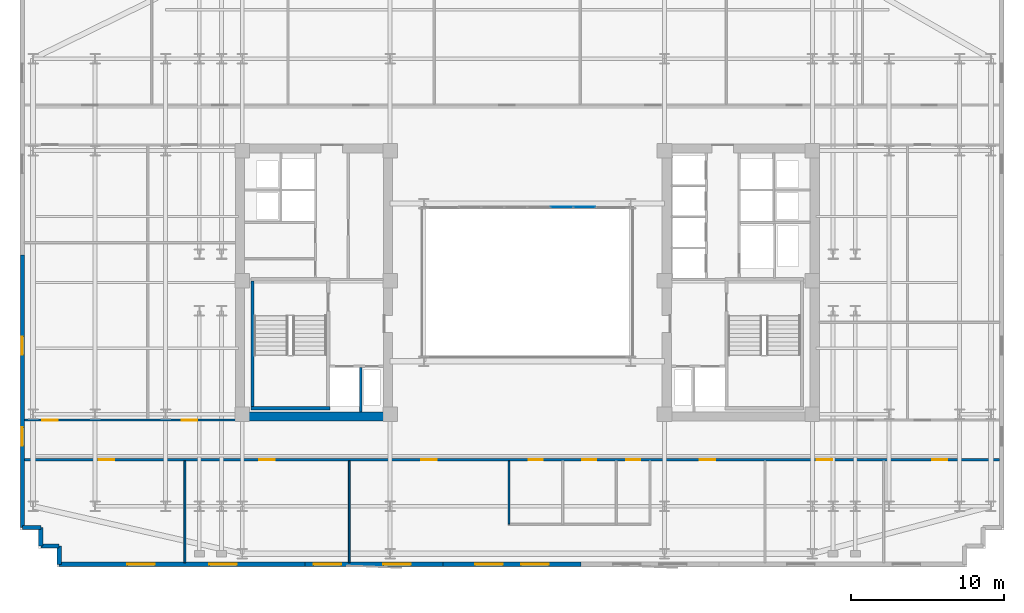
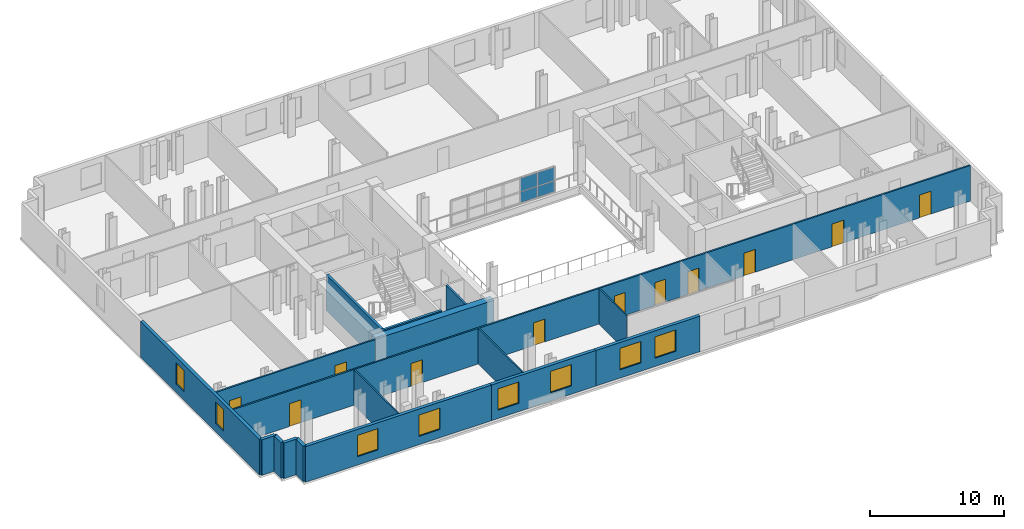
# One storey, part 6 of 12: 17 walls, 11 doors, 8 windows, 4 plates, 19 openings, 1 element without a shape of its own.
"""IFC4 building model written with IfcOpenShell, lengths in metres."""

from ifc_helpers import new_model, si_unit, direction, frame, frame_2d, origin, origin_2d, place, context, subcontext, project, spatial, rectangle, extrude, material, layer, layer_set, type_object, element, fill, aggregate, save


model = new_model("IFC4")

# Units and contexts
model_context = context("Model", 3, precision=1e-05, world=origin(), true_north=direction((0.0, 1.0)))
body_context = subcontext(model_context, "Body", "Model", "MODEL_VIEW")
ifc_project = project(units=[si_unit("LENGTHUNIT", "METRE"), si_unit("AREAUNIT", "SQUARE_METRE"), si_unit("VOLUMEUNIT", "CUBIC_METRE"), si_unit("PLANEANGLEUNIT", "RADIAN"), si_unit("MASSUNIT", "GRAM", prefix="KILO")], contexts=[model_context])

# Site, building, storey
site_placement = place(None, origin())
site = spatial("IfcSite", under=ifc_project, at=site_placement, CompositionType="ELEMENT")
building_placement = place(site_placement, origin())
building = spatial("IfcBuilding", under=site, at=building_placement, Name="Velakula Bourse", CompositionType="ELEMENT")
storey_placement = place(building_placement, frame((0.0, 0.0, 148.449951171875)))
storey = spatial("IfcBuildingStorey", under=building, at=storey_placement, Name="L40", CompositionType="ELEMENT", Elevation=148.449951171875)

# Curtain wall, plates
ifc_material_1 = material(Name="Anodised bronze architectural aluminium", Category="aluminium")
ifc_layer_1 = layer(ifc_material_1, 0.14990234375, Name="Anodised bronze architectural aluminium", Category="aluminium")
ifc_layer_set_1 = layer_set([ifc_layer_1], Name="Anodised bronze architectural aluminium")
curtain_wall_type = type_object("IfcCurtainWallType", Name="CW-AT1", PredefinedType="NOTDEFINED", material=ifc_layer_set_1)
curtain_wall_placement = place(storey_placement, origin())
curtain_wall = element("IfcCurtainWall", 1, at=curtain_wall_placement, inside=storey, type_object=curtain_wall_type, Name="L40 Central Trading Atrium Fire-Rated Glazed Screen", PredefinedType="NOTDEFINED")
ifc_material_2 = material(Name="Fire-resistant EI 120 laminated glazing", Category="glass")
ifc_layer_2 = layer(ifc_material_2, 0.02392578125, Name="Fire-resistant EI 120 laminated glazing", Category="glass")
ifc_layer_set_2 = layer_set([ifc_layer_2], Name="Fire-resistant EI 120 laminated glazing")
plate_type = type_object("IfcPlateType", Name="PNL-CW-AT1", PredefinedType="CURTAIN_PANEL", material=ifc_layer_set_2)
plate_1_placement = place(storey_placement, frame((2.25, 4.919921875, 0.06005859375), z_axis=(0.0, 0.0, 1.0), x_axis=(1.0, 0.0, 0.0)))
plate_1 = element("IfcPlate", 2, at=plate_1_placement, type_object=plate_type, Name="CW-AT1 panel 5.1", PredefinedType="CURTAIN_PANEL", context=body_context, shape_type="SweptSolid", body=[
    extrude(rectangle(XDim=1.43994140625, YDim=0.028076171875, at=origin_2d()), origin(), (0.0, 0.0, 1.0), 0.965087890625),
])
plate_2_placement = place(storey_placement, frame((2.25, 4.919921875, 1.085205078125), z_axis=(0.0, 0.0, 1.0), x_axis=(1.0, 0.0, 0.0)))
plate_2 = element("IfcPlate", 3, at=plate_2_placement, type_object=plate_type, Name="CW-AT1 panel 5.2", PredefinedType="CURTAIN_PANEL", context=body_context, shape_type="SweptSolid", body=[
    extrude(rectangle(XDim=1.43994140625, YDim=0.028076171875, at=origin_2d()), origin(), (0.0, 0.0, 1.0), 1.19970703125),
])
plate_3_placement = place(storey_placement, frame((3.735107421875, 4.919921875, 0.06005859375), z_axis=(0.0, 0.0, 1.0), x_axis=(1.0, 0.0, 0.0)))
plate_3 = element("IfcPlate", 4, at=plate_3_placement, type_object=plate_type, Name="CW-AT1 panel 6.1", PredefinedType="CURTAIN_PANEL", context=body_context, shape_type="SweptSolid", body=[
    extrude(rectangle(XDim=1.409912109375, YDim=0.028076171875, at=origin_2d()), origin(), (0.0, 0.0, 1.0), 0.965087890625),
])
plate_4_placement = place(storey_placement, frame((3.735107421875, 4.919921875, 1.085205078125), z_axis=(0.0, 0.0, 1.0), x_axis=(1.0, 0.0, 0.0)))
plate_4 = element("IfcPlate", 5, at=plate_4_placement, type_object=plate_type, Name="CW-AT1 panel 6.2", PredefinedType="CURTAIN_PANEL", context=body_context, shape_type="SweptSolid", body=[
    extrude(rectangle(XDim=1.409912109375, YDim=0.028076171875, at=origin_2d()), origin(), (0.0, 0.0, 1.0), 1.19970703125),
])
aggregate(curtain_wall, [plate_1, plate_2, plate_3, plate_4])

# Walls
ifc_material_3 = material(Name="Concrete M50 (fck 50 MPa)", Category="concrete")
ifc_layer_3 = layer(ifc_material_3, 0.2099609375, Name="Concrete M50 (fck 50 MPa)", Category="concrete")
ifc_layer_set_3 = layer_set([ifc_layer_3], Name="Concrete M50 (fck 50 MPa)")
wall_type_1 = type_object("IfcWallType", Name="WL-CORE-210", PredefinedType="SHEAR", material=ifc_layer_set_3)
wall_1_placement = place(storey_placement, frame((-17.925048828125, -8.10009765625, 0.0), z_axis=(0.0, 0.0, 1.0), x_axis=(0.0, 1.0, 0.0)))
element("IfcWall", 6, at=wall_1_placement, inside=storey, type_object=wall_type_1, Name="L40 Core W Stairwell Shear Wall OUT", PredefinedType="SHEAR", context=body_context, shape_type="SweptSolid", body=[
    extrude(rectangle(XDim=8.2001953125, YDim=0.2099609375, at=frame_2d((4.10009765625, 0.0))), origin(), (0.0, 0.0, 1.0), 3.27001953125),
])
wall_2_placement = place(storey_placement, frame((-18.030029296875, -8.205078125, 0.0), z_axis=(0.0, 0.0, 1.0), x_axis=(1.0, 0.0, 0.0)))
element("IfcWall", 7, at=wall_2_placement, inside=storey, type_object=wall_type_1, Name="L40 Core W Stairwell Shear Wall S", PredefinedType="SHEAR", context=body_context, shape_type="SweptSolid", body=[
    extrude(rectangle(XDim=5.14013671875, YDim=0.2099609375, at=frame_2d((2.570068359375, 0.0))), origin(), (0.0, 0.0, 1.0), 3.27001953125),
])
ifc_material_4 = material(Name="Concrete M70 (fck 70 MPa)", Category="concrete")
ifc_layer_4 = layer(ifc_material_4, 0.60009765625, Name="Concrete M70 (fck 70 MPa)", Category="concrete")
ifc_layer_set_4 = layer_set([ifc_layer_4], Name="Concrete M70 (fck 70 MPa)")
wall_type_2 = type_object("IfcWallType", Name="WL-CORE-600", PredefinedType="SHEAR", material=ifc_layer_set_4)
wall_3_placement = place(storey_placement, frame((-19.050048828125, -8.75, 0.0), z_axis=(0.0, 0.0, 1.0), x_axis=(1.0, 0.0, 0.0)))
element("IfcWall", 8, at=wall_3_placement, inside=storey, type_object=wall_type_2, Name="L40 Core W Shear Wall S", PredefinedType="SHEAR", context=body_context, shape_type="SweptSolid", body=[
    extrude(rectangle(XDim=10.25, YDim=0.60009765625, at=frame_2d((5.125, 0.0))), origin(), (0.0, 0.0, 1.0), 3.27001953125),
])

# Wall, openings, windows
ifc_material_5 = material(Name="Red kilned clay facing brick masonry", Category="masonry")
ifc_layer_5 = layer(ifc_material_5, 0.280029296875, Name="Red kilned clay facing brick masonry", Category="masonry")
ifc_layer_set_5 = layer_set([ifc_layer_5], Name="Red kilned clay facing brick masonry")
wall_type_3 = type_object("IfcWallType", Name="WL-EXT-BRK-280", PredefinedType="STANDARD", material=ifc_layer_set_5)
wall_4_placement = place(storey_placement, frame((-14.5, -18.389892578125, 0.0), z_axis=(0.0, 0.0, 1.0), x_axis=(-1.0, 0.0, 0.0)))
wall_4 = element("IfcWall", 9, at=wall_4_placement, inside=storey, type_object=wall_type_3, Name="L40 S Brick Spandrel Wall B1", PredefinedType="STANDARD", context=body_context, shape_type="SweptSolid", body=[
    extrude(rectangle(XDim=16.0400390625, YDim=0.280029296875, at=frame_2d((8.02001953125, 0.0))), origin(), (0.0, 0.0, 1.0), 3.25),
])
opening_1_placement = place(wall_4_placement, frame((4.44677734375, 0.0, 0.760009765625)))
opening_1 = element("IfcOpeningElement", 10, at=opening_1_placement, cuts=wall_4, Name="Opening W-01", PredefinedType="OPENING", context=body_context, shape_type="SweptSolid", body=[
    extrude(rectangle(XDim=1.800048828125, YDim=1.949951171875, at=frame_2d((0.89990234375, 0.97509765625))), frame((0.0, 0.14990234375, 0.0), z_axis=(0.0, -1.0, 0.0), x_axis=(1.0, 0.0, 0.0)), (0.0, 0.0, 1.0), 0.300048828125),
])
opening_2_placement = place(wall_4_placement, frame((9.793212890625, 0.0, 0.760009765625)))
opening_2 = element("IfcOpeningElement", 11, at=opening_2_placement, cuts=wall_4, Name="Opening W-01", PredefinedType="OPENING", context=body_context, shape_type="SweptSolid", body=[
    extrude(rectangle(XDim=1.800048828125, YDim=1.949951171875, at=frame_2d((0.89990234375, 0.97509765625))), frame((0.0, 0.14990234375, 0.0), z_axis=(0.0, -1.0, 0.0), x_axis=(1.0, 0.0, 0.0)), (0.0, 0.0, 1.0), 0.300048828125),
])
ifc_material_6 = material(Name="Double-glazed solar-control Low-E glass", Category="glass")
window_type_1 = type_object("IfcWindowType", Name="WIN-TWR-1800x2100", PartitioningType="SINGLE_PANEL", PredefinedType="WINDOW", material=ifc_material_6)
window_1_placement = place(opening_1_placement, origin())
window_1 = element("IfcWindow", 12, at=window_1_placement, inside=storey, type_object=window_type_1, Name="L40 Deep-Set Recessed Window 1", OverallHeight=1.949951171875, OverallWidth=1.800048828125, PartitioningType="SINGLE_PANEL", PredefinedType="WINDOW", context=body_context, shape_type="SweptSolid", body=[
    extrude(rectangle(XDim=1.800048828125, YDim=1.949951171875, at=frame_2d((0.89990234375, 0.97509765625))), frame((0.0, 0.030029296875, 0.0), z_axis=(0.0, -1.0, 0.0), x_axis=(1.0, 0.0, 0.0)), (0.0, 0.0, 1.0), 0.06005859375),
])
fill(opening_1, window_1)
window_2_placement = place(opening_2_placement, origin())
window_2 = element("IfcWindow", 13, at=window_2_placement, inside=storey, type_object=window_type_1, Name="L40 Deep-Set Recessed Window 2", OverallHeight=1.949951171875, OverallWidth=1.800048828125, PartitioningType="SINGLE_PANEL", PredefinedType="WINDOW", context=body_context, shape_type="SweptSolid", body=[
    extrude(rectangle(XDim=1.800048828125, YDim=1.949951171875, at=frame_2d((0.89990234375, 0.97509765625))), frame((0.0, 0.030029296875, 0.0), z_axis=(0.0, -1.0, 0.0), x_axis=(1.0, 0.0, 0.0)), (0.0, 0.0, 1.0), 0.06005859375),
])
fill(opening_2, window_2)

wall_5_placement = place(storey_placement, frame((-5.5, -18.389892578125, 0.0), z_axis=(0.0, 0.0, 1.0), x_axis=(-1.0, 0.0, 0.0)))
wall_5 = element("IfcWall", 14, at=wall_5_placement, inside=storey, type_object=wall_type_3, Name="L40 S Brick Spandrel Wall B2", PredefinedType="STANDARD", context=body_context, shape_type="SweptSolid", body=[
    extrude(rectangle(XDim=9.0, YDim=0.280029296875, at=frame_2d((4.5, 0.0))), origin(), (0.0, 0.0, 1.0), 3.25),
])
opening_3_placement = place(wall_5_placement, frame((2.10009765625, 0.0, 0.760009765625)))
opening_3 = element("IfcOpeningElement", 15, at=opening_3_placement, cuts=wall_5, Name="Opening W-01", PredefinedType="OPENING", context=body_context, shape_type="SweptSolid", body=[
    extrude(rectangle(XDim=1.800048828125, YDim=1.949951171875, at=frame_2d((0.89990234375, 0.97509765625))), frame((0.0, 0.14990234375, 0.0), z_axis=(0.0, -1.0, 0.0), x_axis=(1.0, 0.0, 0.0)), (0.0, 0.0, 1.0), 0.300048828125),
])
opening_4_placement = place(wall_5_placement, frame((6.64990234375, 0.0, 0.760009765625)))
opening_4 = element("IfcOpeningElement", 16, at=opening_4_placement, cuts=wall_5, Name="Opening W-01", PredefinedType="OPENING", context=body_context, shape_type="SweptSolid", body=[
    extrude(rectangle(XDim=1.800048828125, YDim=1.949951171875, at=frame_2d((0.89990234375, 0.97509765625))), frame((0.0, 0.14990234375, 0.0), z_axis=(0.0, -1.0, 0.0), x_axis=(1.0, 0.0, 0.0)), (0.0, 0.0, 1.0), 0.300048828125),
])
window_3_placement = place(opening_3_placement, origin())
window_3 = element("IfcWindow", 17, at=window_3_placement, inside=storey, type_object=window_type_1, Name="L40 Deep-Set Recessed Window 1", OverallHeight=1.949951171875, OverallWidth=1.800048828125, PartitioningType="SINGLE_PANEL", PredefinedType="WINDOW", context=body_context, shape_type="SweptSolid", body=[
    extrude(rectangle(XDim=1.800048828125, YDim=1.949951171875, at=frame_2d((0.89990234375, 0.97509765625))), frame((0.0, 0.030029296875, 0.0), z_axis=(0.0, -1.0, 0.0), x_axis=(1.0, 0.0, 0.0)), (0.0, 0.0, 1.0), 0.06005859375),
])
fill(opening_3, window_3)
window_4_placement = place(opening_4_placement, origin())
window_4 = element("IfcWindow", 18, at=window_4_placement, inside=storey, type_object=window_type_1, Name="L40 Deep-Set Recessed Window 2", OverallHeight=1.949951171875, OverallWidth=1.800048828125, PartitioningType="SINGLE_PANEL", PredefinedType="WINDOW", context=body_context, shape_type="SweptSolid", body=[
    extrude(rectangle(XDim=1.800048828125, YDim=1.949951171875, at=frame_2d((0.89990234375, 0.97509765625))), frame((0.0, 0.030029296875, 0.0), z_axis=(0.0, -1.0, 0.0), x_axis=(1.0, 0.0, 0.0)), (0.0, 0.0, 1.0), 0.06005859375),
])
fill(opening_4, window_4)

wall_6_placement = place(storey_placement, frame((3.5, -18.389892578125, 0.0), z_axis=(0.0, 0.0, 1.0), x_axis=(-1.0, 0.0, 0.0)))
wall_6 = element("IfcWall", 19, at=wall_6_placement, inside=storey, type_object=wall_type_3, Name="L40 S Brick Spandrel Wall B3", PredefinedType="STANDARD", context=body_context, shape_type="SweptSolid", body=[
    extrude(rectangle(XDim=9.0, YDim=0.280029296875, at=frame_2d((4.5, 0.0))), origin(), (0.0, 0.0, 1.0), 3.25),
])
opening_5_placement = place(wall_6_placement, frame((2.10009765625, 0.0, 0.760009765625)))
opening_5 = element("IfcOpeningElement", 20, at=opening_5_placement, cuts=wall_6, Name="Opening W-01", PredefinedType="OPENING", context=body_context, shape_type="SweptSolid", body=[
    extrude(rectangle(XDim=1.800048828125, YDim=1.949951171875, at=frame_2d((0.89990234375, 0.97509765625))), frame((0.0, 0.14990234375, 0.0), z_axis=(0.0, -1.0, 0.0), x_axis=(1.0, 0.0, 0.0)), (0.0, 0.0, 1.0), 0.300048828125),
])
opening_6_placement = place(wall_6_placement, frame((5.10009765625, 0.0, 0.760009765625)))
opening_6 = element("IfcOpeningElement", 21, at=opening_6_placement, cuts=wall_6, Name="Opening W-01", PredefinedType="OPENING", context=body_context, shape_type="SweptSolid", body=[
    extrude(rectangle(XDim=1.800048828125, YDim=1.949951171875, at=frame_2d((0.89990234375, 0.97509765625))), frame((0.0, 0.14990234375, 0.0), z_axis=(0.0, -1.0, 0.0), x_axis=(1.0, 0.0, 0.0)), (0.0, 0.0, 1.0), 0.300048828125),
])
window_5_placement = place(opening_5_placement, origin())
window_5 = element("IfcWindow", 22, at=window_5_placement, inside=storey, type_object=window_type_1, Name="L40 Deep-Set Recessed Window 1", OverallHeight=1.949951171875, OverallWidth=1.800048828125, PartitioningType="SINGLE_PANEL", PredefinedType="WINDOW", context=body_context, shape_type="SweptSolid", body=[
    extrude(rectangle(XDim=1.800048828125, YDim=1.949951171875, at=frame_2d((0.89990234375, 0.97509765625))), frame((0.0, 0.030029296875, 0.0), z_axis=(0.0, -1.0, 0.0), x_axis=(1.0, 0.0, 0.0)), (0.0, 0.0, 1.0), 0.06005859375),
])
fill(opening_5, window_5)
window_6_placement = place(opening_6_placement, origin())
window_6 = element("IfcWindow", 23, at=window_6_placement, inside=storey, type_object=window_type_1, Name="L40 Deep-Set Recessed Window 2", OverallHeight=1.949951171875, OverallWidth=1.800048828125, PartitioningType="SINGLE_PANEL", PredefinedType="WINDOW", context=body_context, shape_type="SweptSolid", body=[
    extrude(rectangle(XDim=1.800048828125, YDim=1.949951171875, at=frame_2d((0.89990234375, 0.97509765625))), frame((0.0, 0.030029296875, 0.0), z_axis=(0.0, -1.0, 0.0), x_axis=(1.0, 0.0, 0.0)), (0.0, 0.0, 1.0), 0.06005859375),
])
fill(opening_6, window_6)

wall_7_placement = place(storey_placement, frame((-32.93994140625, -15.989990234375, 0.0), z_axis=(0.0, 0.0, 1.0), x_axis=(0.0, 1.0, 0.0)))
wall_7 = element("IfcWall", 24, at=wall_7_placement, inside=storey, type_object=wall_type_3, Name="L40 W Brick End Wall W1", PredefinedType="STANDARD", context=body_context, shape_type="SweptSolid", body=[
    extrude(rectangle(XDim=17.7900390625, YDim=0.280029296875, at=frame_2d((8.89501953125, 0.0))), origin(), (0.0, 0.0, 1.0), 3.25),
])
opening_7_placement = place(wall_7_placement, frame((5.330078125, 0.0, 0.760009765625)))
opening_7 = element("IfcOpeningElement", 25, at=opening_7_placement, cuts=wall_7, Name="Opening W-04", PredefinedType="OPENING", context=body_context, shape_type="SweptSolid", body=[
    extrude(rectangle(XDim=1.199951171875, YDim=1.949951171875, at=frame_2d((0.60009765625, 0.97509765625))), frame((0.0, 0.14990234375, 0.0), z_axis=(0.0, -1.0, 0.0), x_axis=(1.0, 0.0, 0.0)), (0.0, 0.0, 1.0), 0.300048828125),
])
opening_8_placement = place(wall_7_placement, frame((11.260009765625, 0.0, 0.760009765625)))
opening_8 = element("IfcOpeningElement", 26, at=opening_8_placement, cuts=wall_7, Name="Opening W-04", PredefinedType="OPENING", context=body_context, shape_type="SweptSolid", body=[
    extrude(rectangle(XDim=1.199951171875, YDim=1.949951171875, at=frame_2d((0.60009765625, 0.97509765625))), frame((0.0, 0.14990234375, 0.0), z_axis=(0.0, -1.0, 0.0), x_axis=(1.0, 0.0, 0.0)), (0.0, 0.0, 1.0), 0.300048828125),
])
window_type_2 = type_object("IfcWindowType", Name="WIN-TWR-1200x2100", PartitioningType="SINGLE_PANEL", PredefinedType="WINDOW", material=ifc_material_6)
window_7_placement = place(opening_7_placement, origin())
window_7 = element("IfcWindow", 27, at=window_7_placement, inside=storey, type_object=window_type_2, Name="L40 Deep-Set Recessed Window 1", OverallHeight=1.949951171875, OverallWidth=1.199951171875, PartitioningType="SINGLE_PANEL", PredefinedType="WINDOW", context=body_context, shape_type="SweptSolid", body=[
    extrude(rectangle(XDim=1.199951171875, YDim=1.949951171875, at=frame_2d((0.60009765625, 0.97509765625))), frame((0.0, 0.030029296875, 0.0), z_axis=(0.0, -1.0, 0.0), x_axis=(1.0, 0.0, 0.0)), (0.0, 0.0, 1.0), 0.06005859375),
])
fill(opening_7, window_7)
window_8_placement = place(opening_8_placement, origin())
window_8 = element("IfcWindow", 28, at=window_8_placement, inside=storey, type_object=window_type_2, Name="L40 Deep-Set Recessed Window 2", OverallHeight=1.949951171875, OverallWidth=1.199951171875, PartitioningType="SINGLE_PANEL", PredefinedType="WINDOW", context=body_context, shape_type="SweptSolid", body=[
    extrude(rectangle(XDim=1.199951171875, YDim=1.949951171875, at=frame_2d((0.60009765625, 0.97509765625))), frame((0.0, 0.030029296875, 0.0), z_axis=(0.0, -1.0, 0.0), x_axis=(1.0, 0.0, 0.0)), (0.0, 0.0, 1.0), 0.06005859375),
])
fill(opening_8, window_8)

# Walls
for number, where, z_axis, x_axis, name in (
    (29, (-32.93994140625, -15.989990234375, 0.0), (0.0, 0.0, 1.0), (1.0, 0.0, 0.0), "L40 Serrated Corner Brick Wall SW-1"),
    (30, (-31.739990234375, -15.989990234375, 0.0), (0.0, 0.0, 1.0), (0.0, -1.0, 0.0), "L40 Serrated Corner Brick Wall SW-2"),
    (31, (-31.739990234375, -17.18994140625, 0.0), (0.0, 0.0, 1.0), (1.0, 0.0, 0.0), "L40 Serrated Corner Brick Wall SW-3"),
    (32, (-30.5400390625, -17.18994140625, 0.0), (0.0, 0.0, 1.0), (0.0, -1.0, 0.0), "L40 Serrated Corner Brick Wall SW-4"),
):
    element("IfcWall", number, at=place(storey_placement, frame(where, z_axis=z_axis, x_axis=x_axis)), inside=storey, type_object=wall_type_3, Name=name, PredefinedType="STANDARD", context=body_context, shape_type="SweptSolid", body=[
        extrude(rectangle(XDim=1.199951171875, YDim=0.280029296875, at=frame_2d((0.60009765625, 0.0))), origin(), (0.0, 0.0, 1.0), 3.25),
    ])
ifc_material_7 = material(Name="Fire-rated double-layer gypsum drywall partition", Category="gypsum")
ifc_layer_6 = layer(ifc_material_7, 0.1201171875, Name="Fire-rated double-layer gypsum drywall partition", Category="gypsum")
ifc_layer_set_6 = layer_set([ifc_layer_6], Name="Fire-rated double-layer gypsum drywall partition")
wall_type_4 = type_object("IfcWallType", Name="WL-PART-120", PredefinedType="STANDARD", material=ifc_layer_set_6)
wall_8_placement = place(storey_placement, frame((-1.199951171875, -15.77001953125, 0.0), z_axis=(0.0, 0.0, 1.0), x_axis=(0.0, 1.0, 0.0)))
element("IfcWall", 33, at=wall_8_placement, inside=storey, type_object=wall_type_4, Name="L40 Interior Partition WL-WC-L40-V1", PredefinedType="STANDARD", context=body_context, shape_type="SweptSolid", body=[
    extrude(rectangle(XDim=4.130126953125, YDim=0.1201171875, at=frame_2d((2.06494140625, 0.0))), origin(), (0.0, 0.0, 1.0), 3.25),
])
for number, where, z_axis, x_axis, name in (
    (34, (-22.344970703125, -18.27001953125, 0.0), (0.0, 0.0, 1.0), (0.0, 1.0, 0.0), "L40 Interior Partition WL-INT-L40-SL-D5"),
    (35, (-11.614990234375, -18.27001953125, 0.0), (0.0, 0.0, 1.0), (0.0, 1.0, 0.0), "L40 Interior Partition WL-INT-L40-SL-D6"),
):
    element("IfcWall", number, at=place(storey_placement, frame(where, z_axis=z_axis, x_axis=x_axis)), inside=storey, type_object=wall_type_4, Name=name, PredefinedType="STANDARD", context=body_context, shape_type="SweptSolid", body=[
        extrude(rectangle(XDim=6.630126953125, YDim=0.1201171875, at=frame_2d((3.31494140625, 0.0))), origin(), (0.0, 0.0, 1.0), 3.25),
    ])

# Wall, openings, doors
ifc_layer_7 = layer(ifc_material_7, 0.139892578125, Name="Fire-rated double-layer gypsum drywall partition", Category="gypsum")
ifc_layer_set_7 = layer_set([ifc_layer_7], Name="Fire-rated double-layer gypsum drywall partition")
wall_type_5 = type_object("IfcWallType", Name="WL-PART-140", PredefinedType="STANDARD", material=ifc_layer_set_7)
wall_9_placement = place(storey_placement, frame((-32.820068359375, -11.570068359375, 0.0), z_axis=(0.0, 0.0, 1.0), x_axis=(1.0, 0.0, 0.0)))
wall_9 = element("IfcWall", 36, at=wall_9_placement, inside=storey, type_object=wall_type_5, Name="L40 Interior Partition WL-INT-L40-S-CORR", PredefinedType="STANDARD", context=body_context, shape_type="SweptSolid", body=[
    extrude(rectangle(XDim=63.64013671875, YDim=0.139892578125, at=frame_2d((31.820068359375, 0.0))), origin(), (0.0, 0.0, 1.0), 3.25),
])
opening_9_placement = place(wall_9_placement, frame((32.909912109375, 0.0, 0.0)))
opening_9 = element("IfcOpeningElement", 37, at=opening_9_placement, cuts=wall_9, Name="Opening D-WT1", PredefinedType="OPENING", context=body_context, shape_type="SweptSolid", body=[
    extrude(rectangle(XDim=0.919921875, YDim=2.080078125, at=frame_2d((0.4599609375, 1.0400390625))), frame((0.0, 0.079833984375, 0.0), z_axis=(0.0, -1.0, 0.0), x_axis=(1.0, 0.0, 0.0)), (0.0, 0.0, 1.0), 0.159912109375),
])
opening_10_placement = place(wall_9_placement, frame((36.409912109375, 0.0, 0.0)))
opening_10 = element("IfcOpeningElement", 38, at=opening_10_placement, cuts=wall_9, Name="Opening D-WT1", PredefinedType="OPENING", context=body_context, shape_type="SweptSolid", body=[
    extrude(rectangle(XDim=0.919921875, YDim=2.080078125, at=frame_2d((0.4599609375, 1.0400390625))), frame((0.0, 0.079833984375, 0.0), z_axis=(0.0, -1.0, 0.0), x_axis=(1.0, 0.0, 0.0)), (0.0, 0.0, 1.0), 0.159912109375),
])
opening_11_placement = place(wall_9_placement, frame((39.260009765625, 0.0, 0.0)))
opening_11 = element("IfcOpeningElement", 39, at=opening_11_placement, cuts=wall_9, Name="Opening D-WC1", PredefinedType="OPENING", context=body_context, shape_type="SweptSolid", body=[
    extrude(rectangle(XDim=0.919921875, YDim=2.080078125, at=frame_2d((0.4599609375, 1.0400390625))), frame((0.0, 0.079833984375, 0.0), z_axis=(0.0, -1.0, 0.0), x_axis=(1.0, 0.0, 0.0)), (0.0, 0.0, 1.0), 0.159912109375),
])
opening_12_placement = place(wall_9_placement, frame((4.863525390625, 0.0, 0.0)))
opening_12 = element("IfcOpeningElement", 40, at=opening_12_placement, cuts=wall_9, Name="Opening D-OF1", PredefinedType="OPENING", context=body_context, shape_type="SweptSolid", body=[
    extrude(rectangle(XDim=1.0, YDim=2.080078125, at=frame_2d((0.5, 1.0400390625))), frame((0.0, 0.079833984375, 0.0), z_axis=(0.0, -1.0, 0.0), x_axis=(1.0, 0.0, 0.0)), (0.0, 0.0, 1.0), 0.159912109375),
])
opening_13_placement = place(wall_9_placement, frame((15.340087890625, 0.0, 0.0)))
opening_13 = element("IfcOpeningElement", 41, at=opening_13_placement, cuts=wall_9, Name="Opening D-OF1", PredefinedType="OPENING", context=body_context, shape_type="SweptSolid", body=[
    extrude(rectangle(XDim=1.0, YDim=2.080078125, at=frame_2d((0.5, 1.0400390625))), frame((0.0, 0.079833984375, 0.0), z_axis=(0.0, -1.0, 0.0), x_axis=(1.0, 0.0, 0.0)), (0.0, 0.0, 1.0), 0.159912109375),
])
opening_14_placement = place(wall_9_placement, frame((25.91259765625, 0.0, 0.0)))
opening_14 = element("IfcOpeningElement", 42, at=opening_14_placement, cuts=wall_9, Name="Opening D-OF1", PredefinedType="OPENING", context=body_context, shape_type="SweptSolid", body=[
    extrude(rectangle(XDim=1.0, YDim=2.080078125, at=frame_2d((0.5, 1.0400390625))), frame((0.0, 0.079833984375, 0.0), z_axis=(0.0, -1.0, 0.0), x_axis=(1.0, 0.0, 0.0)), (0.0, 0.0, 1.0), 0.159912109375),
])
opening_15_placement = place(wall_9_placement, frame((44.075439453125, 0.0, 0.0)))
opening_15 = element("IfcOpeningElement", 43, at=opening_15_placement, cuts=wall_9, Name="Opening D-OF1", PredefinedType="OPENING", context=body_context, shape_type="SweptSolid", body=[
    extrude(rectangle(XDim=1.0, YDim=2.080078125, at=frame_2d((0.5, 1.0400390625))), frame((0.0, 0.079833984375, 0.0), z_axis=(0.0, -1.0, 0.0), x_axis=(1.0, 0.0, 0.0)), (0.0, 0.0, 1.0), 0.159912109375),
])
opening_16_placement = place(wall_9_placement, frame((51.699951171875, 0.0, 0.0)))
opening_16 = element("IfcOpeningElement", 44, at=opening_16_placement, cuts=wall_9, Name="Opening D-OF1", PredefinedType="OPENING", context=body_context, shape_type="SweptSolid", body=[
    extrude(rectangle(XDim=1.0, YDim=2.080078125, at=frame_2d((0.5, 1.0400390625))), frame((0.0, 0.079833984375, 0.0), z_axis=(0.0, -1.0, 0.0), x_axis=(1.0, 0.0, 0.0)), (0.0, 0.0, 1.0), 0.159912109375),
])
opening_17_placement = place(wall_9_placement, frame((59.228515625, 0.0, 0.0)))
opening_17 = element("IfcOpeningElement", 45, at=opening_17_placement, cuts=wall_9, Name="Opening D-OF1", PredefinedType="OPENING", context=body_context, shape_type="SweptSolid", body=[
    extrude(rectangle(XDim=1.0, YDim=2.080078125, at=frame_2d((0.5, 1.0400390625))), frame((0.0, 0.079833984375, 0.0), z_axis=(0.0, -1.0, 0.0), x_axis=(1.0, 0.0, 0.0)), (0.0, 0.0, 1.0), 0.159912109375),
])
ifc_material_8 = material(Name="Fire-rated hardwood flush architectural door", Category="wood")
door_type_1 = type_object("IfcDoorType", Name="DR-OFF-1000", OperationType="NOTDEFINED", PredefinedType="DOOR", material=ifc_material_8)
door_1_placement = place(opening_12_placement, origin())
door_1 = element("IfcDoor", 46, at=door_1_placement, inside=storey, type_object=door_type_1, Name="L40 Economic Reference Library Door", OperationType="SINGLE_SWING_LEFT", OverallHeight=2.080078125, OverallWidth=1.0, PredefinedType="DOOR", context=body_context, shape_type="SweptSolid", body=[
    extrude(rectangle(XDim=1.0, YDim=2.080078125, at=frame_2d((0.5, 1.0400390625))), frame((0.0, 0.02490234375, 0.0), z_axis=(0.0, -1.0, 0.0), x_axis=(1.0, 0.0, 0.0)), (0.0, 0.0, 1.0), 0.050048828125),
])
fill(opening_12, door_1)
door_2_placement = place(opening_13_placement, origin())
door_2 = element("IfcDoor", 47, at=door_2_placement, inside=storey, type_object=door_type_1, Name="L40 Chief Risk Officer Chamber Door", OperationType="SINGLE_SWING_RIGHT", OverallHeight=2.080078125, OverallWidth=1.0, PredefinedType="DOOR", context=body_context, shape_type="SweptSolid", body=[
    extrude(rectangle(XDim=1.0, YDim=2.080078125, at=frame_2d((0.5, 1.0400390625))), frame((0.0, 0.02490234375, 0.0), z_axis=(0.0, -1.0, 0.0), x_axis=(1.0, 0.0, 0.0)), (0.0, 0.0, 1.0), 0.050048828125),
])
fill(opening_13, door_2)
door_3_placement = place(opening_14_placement, origin())
door_3 = element("IfcDoor", 48, at=door_3_placement, inside=storey, type_object=door_type_1, Name="L40 Executive Boardroom Door", OperationType="SINGLE_SWING_LEFT", OverallHeight=2.080078125, OverallWidth=1.0, PredefinedType="DOOR", context=body_context, shape_type="SweptSolid", body=[
    extrude(rectangle(XDim=1.0, YDim=2.080078125, at=frame_2d((0.5, 1.0400390625))), frame((0.0, 0.02490234375, 0.0), z_axis=(0.0, -1.0, 0.0), x_axis=(1.0, 0.0, 0.0)), (0.0, 0.0, 1.0), 0.050048828125),
])
fill(opening_14, door_3)
door_4_placement = place(opening_15_placement, origin())
door_4 = element("IfcDoor", 49, at=door_4_placement, inside=storey, type_object=door_type_1, Name="L40 Catering Servery Pantry Door", OperationType="SINGLE_SWING_RIGHT", OverallHeight=2.080078125, OverallWidth=1.0, PredefinedType="DOOR", context=body_context, shape_type="SweptSolid", body=[
    extrude(rectangle(XDim=1.0, YDim=2.080078125, at=frame_2d((0.5, 1.0400390625))), frame((0.0, 0.02490234375, 0.0), z_axis=(0.0, -1.0, 0.0), x_axis=(1.0, 0.0, 0.0)), (0.0, 0.0, 1.0), 0.050048828125),
])
fill(opening_15, door_4)
door_5_placement = place(opening_16_placement, origin())
door_5 = element("IfcDoor", 50, at=door_5_placement, inside=storey, type_object=door_type_1, Name="L40 Sovereign Debt Trading Workspace Door", OperationType="SINGLE_SWING_LEFT", OverallHeight=2.080078125, OverallWidth=1.0, PredefinedType="DOOR", context=body_context, shape_type="SweptSolid", body=[
    extrude(rectangle(XDim=1.0, YDim=2.080078125, at=frame_2d((0.5, 1.0400390625))), frame((0.0, 0.02490234375, 0.0), z_axis=(0.0, -1.0, 0.0), x_axis=(1.0, 0.0, 0.0)), (0.0, 0.0, 1.0), 0.050048828125),
])
fill(opening_16, door_5)
door_6_placement = place(opening_17_placement, origin())
door_6 = element("IfcDoor", 51, at=door_6_placement, inside=storey, type_object=door_type_1, Name="L40 Chief Risk Officer Chamber Door", OperationType="SINGLE_SWING_RIGHT", OverallHeight=2.080078125, OverallWidth=1.0, PredefinedType="DOOR", context=body_context, shape_type="SweptSolid", body=[
    extrude(rectangle(XDim=1.0, YDim=2.080078125, at=frame_2d((0.5, 1.0400390625))), frame((0.0, 0.02490234375, 0.0), z_axis=(0.0, -1.0, 0.0), x_axis=(1.0, 0.0, 0.0)), (0.0, 0.0, 1.0), 0.050048828125),
])
fill(opening_17, door_6)
door_type_2 = type_object("IfcDoorType", Name="DR-WC-950", OperationType="NOTDEFINED", PredefinedType="DOOR", material=ifc_material_8)
door_7_placement = place(opening_9_placement, origin())
door_7 = element("IfcDoor", 52, at=door_7_placement, inside=storey, type_object=door_type_2, Name="L40 Male Staff Toilet Door", OperationType="SINGLE_SWING_RIGHT", OverallHeight=2.080078125, OverallWidth=0.919921875, PredefinedType="DOOR", context=body_context, shape_type="SweptSolid", body=[
    extrude(rectangle(XDim=0.919921875, YDim=2.080078125, at=frame_2d((0.4599609375, 1.0400390625))), frame((0.0, 0.02490234375, 0.0), z_axis=(0.0, -1.0, 0.0), x_axis=(1.0, 0.0, 0.0)), (0.0, 0.0, 1.0), 0.050048828125),
])
fill(opening_9, door_7)
door_8_placement = place(opening_10_placement, origin())
door_8 = element("IfcDoor", 53, at=door_8_placement, inside=storey, type_object=door_type_2, Name="L40 Female Staff Toilet Door", OperationType="SINGLE_SWING_LEFT", OverallHeight=2.080078125, OverallWidth=0.919921875, PredefinedType="DOOR", context=body_context, shape_type="SweptSolid", body=[
    extrude(rectangle(XDim=0.919921875, YDim=2.080078125, at=frame_2d((0.4599609375, 1.0400390625))), frame((0.0, 0.02490234375, 0.0), z_axis=(0.0, -1.0, 0.0), x_axis=(1.0, 0.0, 0.0)), (0.0, 0.0, 1.0), 0.050048828125),
])
fill(opening_10, door_8)
door_9_placement = place(opening_11_placement, origin())
door_9 = element("IfcDoor", 54, at=door_9_placement, inside=storey, type_object=door_type_2, Name="L40 Accessible WC Door", OperationType="SINGLE_SWING_RIGHT", OverallHeight=2.080078125, OverallWidth=0.919921875, PredefinedType="DOOR", context=body_context, shape_type="SweptSolid", body=[
    extrude(rectangle(XDim=0.919921875, YDim=2.080078125, at=frame_2d((0.4599609375, 1.0400390625))), frame((0.0, 0.02490234375, 0.0), z_axis=(0.0, -1.0, 0.0), x_axis=(1.0, 0.0, 0.0)), (0.0, 0.0, 1.0), 0.050048828125),
])
fill(opening_11, door_9)

wall_10_placement = place(storey_placement, frame((-32.820068359375, -8.97998046875, 0.0), z_axis=(0.0, 0.0, 1.0), x_axis=(1.0, 0.0, 0.0)))
wall_10 = element("IfcWall", 55, at=wall_10_placement, inside=storey, type_object=wall_type_5, Name="L40 Interior Partition WL-INT-L40-W-SC", PredefinedType="STANDARD", context=body_context, shape_type="SweptSolid", body=[
    extrude(rectangle(XDim=13.77001953125, YDim=0.139892578125, at=frame_2d((6.885009765625, 0.0))), origin(), (0.0, 0.0, 1.0), 3.25),
])
opening_18_placement = place(wall_10_placement, frame((1.1826171875, 0.0, 0.0)))
opening_18 = element("IfcOpeningElement", 56, at=opening_18_placement, cuts=wall_10, Name="Opening D-OF1", PredefinedType="OPENING", context=body_context, shape_type="SweptSolid", body=[
    extrude(rectangle(XDim=1.0, YDim=2.080078125, at=frame_2d((0.5, 1.0400390625))), frame((0.0, 0.079833984375, 0.0), z_axis=(0.0, -1.0, 0.0), x_axis=(1.0, 0.0, 0.0)), (0.0, 0.0, 1.0), 0.159912109375),
])
opening_19_placement = place(wall_10_placement, frame((10.28759765625, 0.0, 0.0)))
opening_19 = element("IfcOpeningElement", 57, at=opening_19_placement, cuts=wall_10, Name="Opening D-OF1", PredefinedType="OPENING", context=body_context, shape_type="SweptSolid", body=[
    extrude(rectangle(XDim=1.0, YDim=2.080078125, at=frame_2d((0.5, 1.0400390625))), frame((0.0, 0.079833984375, 0.0), z_axis=(0.0, -1.0, 0.0), x_axis=(1.0, 0.0, 0.0)), (0.0, 0.0, 1.0), 0.159912109375),
])
door_10_placement = place(opening_18_placement, origin())
door_10 = element("IfcDoor", 58, at=door_10_placement, inside=storey, type_object=door_type_1, Name="L40 Chief Risk Officer Chamber Door", OperationType="SINGLE_SWING_LEFT", OverallHeight=2.080078125, OverallWidth=1.0, PredefinedType="DOOR", context=body_context, shape_type="SweptSolid", body=[
    extrude(rectangle(XDim=1.0, YDim=2.080078125, at=frame_2d((0.5, 1.0400390625))), frame((0.0, 0.02490234375, 0.0), z_axis=(0.0, -1.0, 0.0), x_axis=(1.0, 0.0, 0.0)), (0.0, 0.0, 1.0), 0.050048828125),
])
fill(opening_18, door_10)
door_11_placement = place(opening_19_placement, origin())
door_11 = element("IfcDoor", 59, at=door_11_placement, inside=storey, type_object=door_type_1, Name="L40 Yield Curve Seminar Room Door", OperationType="SINGLE_SWING_RIGHT", OverallHeight=2.080078125, OverallWidth=1.0, PredefinedType="DOOR", context=body_context, shape_type="SweptSolid", body=[
    extrude(rectangle(XDim=1.0, YDim=2.080078125, at=frame_2d((0.5, 1.0400390625))), frame((0.0, 0.02490234375, 0.0), z_axis=(0.0, -1.0, 0.0), x_axis=(1.0, 0.0, 0.0)), (0.0, 0.0, 1.0), 0.050048828125),
])
fill(opening_19, door_11)

# Wall
ifc_material_9 = material(Name="Autoclaved aerated concrete blockwork masonry", Category="masonry")
ifc_layer_8 = layer(ifc_material_9, 0.14990234375, Name="Autoclaved aerated concrete blockwork masonry", Category="masonry")
ifc_layer_set_8 = layer_set([ifc_layer_8], Name="Autoclaved aerated concrete blockwork masonry")
wall_type_6 = type_object("IfcWallType", Name="WL-SHAFT-150", PredefinedType="STANDARD", material=ifc_layer_set_8)
wall_11_placement = place(storey_placement, frame((-10.875, -8.449951171875, 0.0), z_axis=(0.0, 0.0, 1.0), x_axis=(0.0, 1.0, 0.0)))
element("IfcWall", 60, at=wall_11_placement, inside=storey, type_object=wall_type_6, Name="L40 Interior Partition WL-CRW-L40-FR-DIV", PredefinedType="STANDARD", context=body_context, shape_type="SweptSolid", body=[
    extrude(rectangle(XDim=2.89990234375, YDim=0.14990234375, at=frame_2d((1.449951171875, 0.0))), origin(), (0.0, 0.0, 1.0), 3.25),
])

save(model, "model.ifc")
